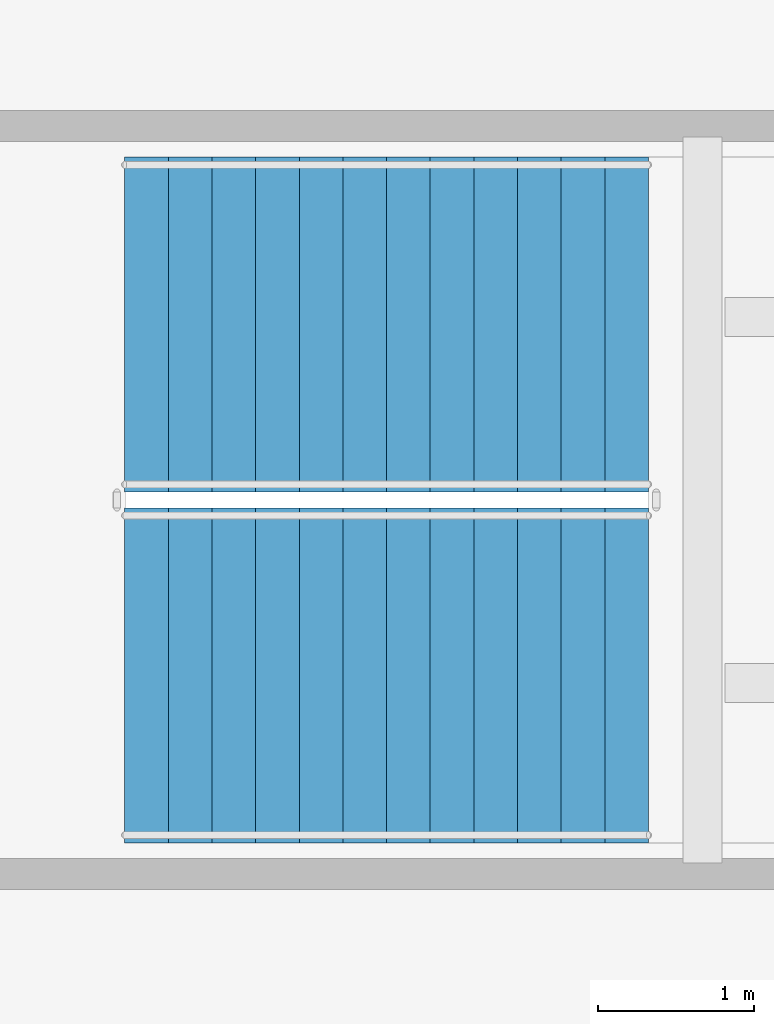
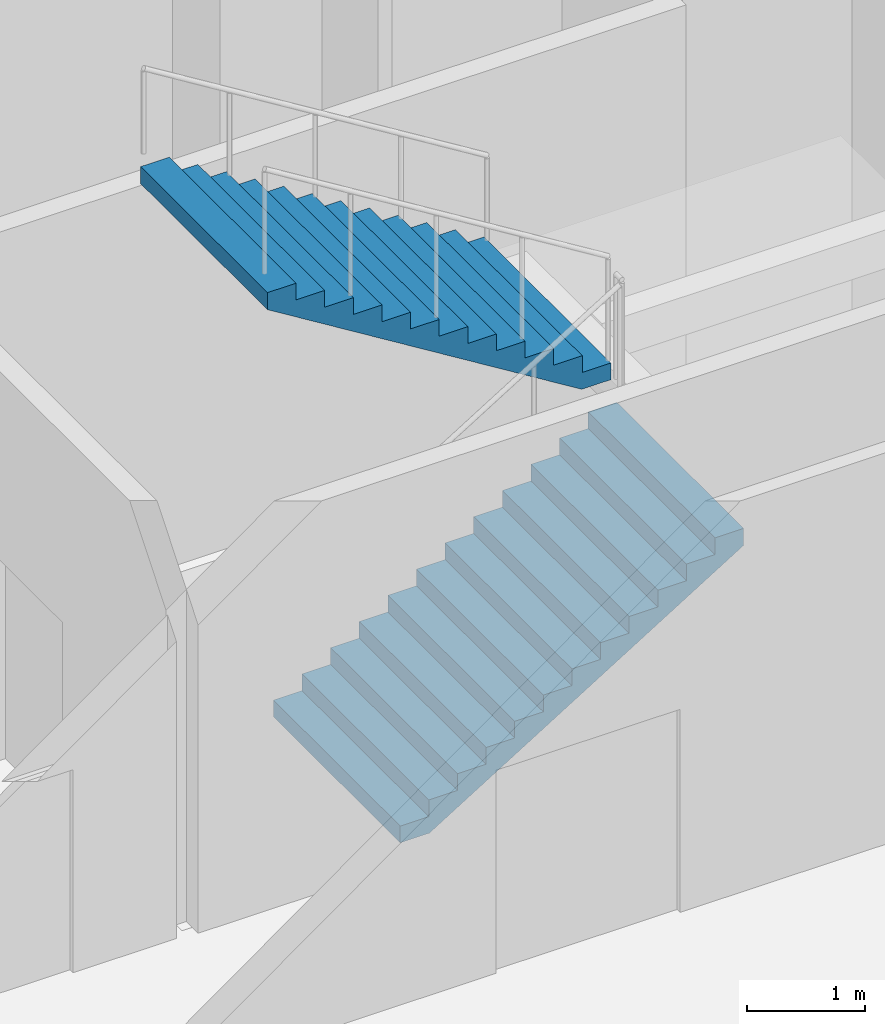
# One storey, part 15 of 21: 2 stair flights, 1 element without a shape of its own.
"""IFC4 building model written with IfcOpenShell, lengths in metres."""

from ifc_helpers import new_model, si_unit, direction, frame, origin, place, context, subcontext, project, spatial, triangles, material, type_object, element, aggregate, save


model = new_model("IFC4")

# Units and contexts
model_context = context("Model", 3, precision=1e-05, world=origin(), true_north=direction((0.0, 1.0)))
body_context = subcontext(model_context, "Body", "Model", "MODEL_VIEW")
ifc_project = project(units=[si_unit("LENGTHUNIT", "METRE"), si_unit("AREAUNIT", "SQUARE_METRE"), si_unit("VOLUMEUNIT", "CUBIC_METRE"), si_unit("PLANEANGLEUNIT", "RADIAN"), si_unit("MASSUNIT", "GRAM", prefix="KILO")], contexts=[model_context])

# Site, building, storey
site_placement = place(None, origin())
site = spatial("IfcSite", under=ifc_project, at=site_placement, CompositionType="ELEMENT")
building_placement = place(site_placement, origin())
building = spatial("IfcBuilding", under=site, at=building_placement, Name="Verdalira Terraces Hotel", CompositionType="ELEMENT")
storey_placement = place(building_placement, frame((0.0, 0.0, 19.0)))
storey = spatial("IfcBuildingStorey", under=building, at=storey_placement, Name="L03", CompositionType="ELEMENT", Elevation=19.0)

# Stair, stair flights
ifc_material_1 = material(Name="Concrete C40", Category="concrete")
stair_type = type_object("IfcStairType", Name="Podium stair 26 risers", PredefinedType="HALF_TURN_STAIR", material=ifc_material_1)
stair_placement = place(storey_placement, origin())
stair = element("IfcStair", 1, at=stair_placement, inside=storey, type_object=stair_type, Name="L03 Exit stair PS1", PredefinedType="HALF_TURN_STAIR")
ifc_material_2 = material(Name="Concrete C40", Category="concrete")
stair_flight_type = type_object("IfcStairFlightType", Name="Podium stair flight 26 risers", PredefinedType="STRAIGHT", material=ifc_material_2)
stair_flight_1_placement = place(storey_placement, frame((-0.75, 37.675049, 0.0), z_axis=(0.0, 0.0, 1.0), x_axis=(1.0, 0.0, 0.0)))
stair_flight_1 = element("IfcStairFlight", 2, at=stair_flight_1_placement, type_object=stair_flight_type, Name="PS1 flight 1", NumberOfRisers=13, NumberOfTreads=12, PredefinedType="STRAIGHT", RiserHeight=0.173076923, TreadLength=0.28, context=body_context, shape_type="Tessellation", body=[
    triangles([(0.0, 1.074951, 0.0), (0.285156, 1.074951, 0.0), (3.360107, 1.074951, 1.900635), (0.0, -1.074951, 0.0), (0.285156, -1.074951, 0.0), (3.360107, -1.074951, 1.900635), (3.360107, 1.074951, 2.076904), (3.080078, 1.074951, 2.076904), (3.360107, -1.074951, 2.076904), (3.080078, -1.074951, 2.076904), (3.080078, 1.074951, 1.903809), (3.080078, -1.074951, 1.903809), (2.800049, 1.074951, 1.903809), (2.800049, -1.074951, 1.903809), (2.800049, 1.074951, 1.730713), (2.800049, -1.074951, 1.730713), (2.52002, 1.074951, 1.730713), (2.52002, 1.074951, 1.557617), (2.52002, -1.074951, 1.730713), (2.52002, -1.074951, 1.557617), (2.23999, 1.074951, 1.557617), (2.23999, 1.074951, 1.384521), (2.23999, -1.074951, 1.557617), (2.23999, -1.074951, 1.384521), (1.959961, 1.074951, 1.384521), (1.959961, 1.074951, 1.211426), (1.959961, -1.074951, 1.384521), (1.959961, -1.074951, 1.211426), (1.679932, 1.074951, 1.211426), (1.679932, 1.074951, 1.038574), (1.679932, -1.074951, 1.211426), (1.679932, -1.074951, 1.038574), (1.399902, 1.074951, 1.038574), (1.399902, 1.074951, 0.865479), (1.399902, -1.074951, 1.038574), (1.399902, -1.074951, 0.865479), (1.120117, 1.074951, 0.865479), (1.120117, 1.074951, 0.692383), (1.120117, -1.074951, 0.865479), (1.120117, -1.074951, 0.692383), (0.840088, 1.074951, 0.692383), (0.840088, 1.074951, 0.519287), (0.840088, -1.074951, 0.692383), (0.840088, -1.074951, 0.519287), (0.560059, 1.074951, 0.519287), (0.560059, 1.074951, 0.346191), (0.560059, -1.074951, 0.519287), (0.560059, -1.074951, 0.346191), (0.280029, 1.074951, 0.346191), (0.280029, 1.074951, 0.173096), (0.280029, -1.074951, 0.346191), (0.280029, -1.074951, 0.173096), (0.0, 1.074951, 0.173096), (0.0, -1.074951, 0.173096), (0.0, -1.007767, 0.0), (0.0, -1.007767, 0.173096), (0.0, -0.940582, 0.0), (0.0, -0.940582, 0.173096), (0.0, -0.873398, 0.0), (0.0, -0.873398, 0.173096), (0.0, -0.806213, 0.0), (0.0, -0.806213, 0.173096), (0.0, -0.739029, 0.0), (0.0, -0.739029, 0.173096), (0.0, -0.671844, 0.0), (0.0, -0.671844, 0.173096), (0.0, -0.60466, 0.0), (0.0, -0.60466, 0.173096), (0.0, -0.537476, 0.0), (0.0, -0.537476, 0.173096), (0.0, -0.470291, 0.0), (0.0, -0.470291, 0.173096), (0.0, -0.403107, 0.0), (0.0, -0.403107, 0.173096), (0.0, -0.335922, 0.0), (0.0, -0.335922, 0.173096), (0.0, -0.268738, 0.0), (0.0, -0.268738, 0.173096), (0.0, -0.201553, 0.0), (0.0, -0.201553, 0.173096), (0.0, -0.134369, 0.0), (0.0, -0.134369, 0.173096), (0.0, -0.067184, 0.0), (0.0, -0.067184, 0.173096), (0.0, 0.0, 0.0), (0.0, 0.0, 0.173096), (0.0, 0.067184, 0.0), (0.0, 0.067184, 0.173096), (0.0, 0.134369, 0.0), (0.0, 0.134369, 0.173096), (0.0, 0.201553, 0.0), (0.0, 0.201553, 0.173096), (0.0, 0.268738, 0.0), (0.0, 0.268738, 0.173096), (0.0, 0.335922, 0.0), (0.0, 0.335922, 0.173096), (0.0, 0.403107, 0.0), (0.0, 0.403107, 0.173096), (0.0, 0.470291, 0.0), (0.0, 0.470291, 0.173096), (0.0, 0.537476, 0.0), (0.0, 0.537476, 0.173096), (0.0, 0.60466, 0.0), (0.0, 0.60466, 0.173096), (0.0, 0.671844, 0.0), (0.0, 0.671844, 0.173096), (0.0, 0.739029, 0.0), (0.0, 0.739029, 0.173096), (0.0, 0.806213, 0.0), (0.0, 0.806213, 0.173096), (0.0, 0.873398, 0.0), (0.0, 0.873398, 0.173096), (0.0, 0.940582, 0.0), (0.0, 0.940582, 0.173096), (0.0, 1.007767, 0.0), (0.0, 1.007767, 0.173096), (3.360107, -1.007767, 2.076904), (3.360107, -0.940582, 2.076904), (3.360107, -0.873398, 2.076904), (3.360107, -0.806213, 2.076904), (3.360107, -0.739029, 2.076904), (3.360107, -0.671844, 2.076904), (3.360107, -0.60466, 2.076904), (3.360107, -0.537476, 2.076904), (3.360107, -0.470291, 2.076904), (3.360107, -0.403107, 2.076904), (3.360107, -0.335922, 2.076904), (3.360107, -0.268738, 2.076904), (3.360107, -0.201553, 2.076904), (3.360107, -0.134369, 2.076904), (3.360107, -0.067184, 2.076904), (3.360107, 0.0, 2.076904), (3.360107, 0.067184, 2.076904), (3.360107, 0.134369, 2.076904), (3.360107, 0.201553, 2.076904), (3.360107, 0.268738, 2.076904), (3.360107, 0.335922, 2.076904), (3.360107, 0.403107, 2.076904), (3.360107, 0.470291, 2.076904), (3.360107, 0.537476, 2.076904), (3.360107, 0.60466, 2.076904), (3.360107, 0.671844, 2.076904), (3.360107, 0.739029, 2.076904), (3.360107, 0.806213, 2.076904), (3.360107, 0.873398, 2.076904), (3.360107, 0.940582, 2.076904), (3.360107, 1.007767, 2.076904), (3.360107, -1.007767, 1.900635), (3.360107, -0.940582, 1.900635), (3.360107, -0.873398, 1.900635), (3.360107, -0.806213, 1.900635), (3.360107, -0.739029, 1.900635), (3.360107, -0.671844, 1.900635), (3.360107, -0.60466, 1.900635), (3.360107, -0.537476, 1.900635), (3.360107, -0.470291, 1.900635), (3.360107, -0.403107, 1.900635), (3.360107, -0.335922, 1.900635), (3.360107, -0.268738, 1.900635), (3.360107, -0.201553, 1.900635), (3.360107, -0.134369, 1.900635), (3.360107, -0.067184, 1.900635), (3.360107, 0.0, 1.900635), (3.360107, 0.067184, 1.900635), (3.360107, 0.134369, 1.900635), (3.360107, 0.201553, 1.900635), (3.360107, 0.268738, 1.900635), (3.360107, 0.335922, 1.900635), (3.360107, 0.403107, 1.900635), (3.360107, 0.470291, 1.900635), (3.360107, 0.537476, 1.900635), (3.360107, 0.60466, 1.900635), (3.360107, 0.671844, 1.900635), (3.360107, 0.739029, 1.900635), (3.360107, 0.806213, 1.900635), (3.360107, 0.873398, 1.900635), (3.360107, 0.940582, 1.900635), (3.360107, 1.007767, 1.900635)], [[1, 3, 2], [4, 5, 6], [3, 8, 7], [6, 9, 10], [3, 11, 8], [6, 10, 12], [3, 13, 11], [6, 12, 14], [3, 15, 13], [6, 14, 16], [15, 18, 17], [16, 19, 20], [3, 18, 15], [6, 16, 20], [18, 22, 21], [20, 23, 24], [3, 22, 18], [6, 20, 24], [22, 26, 25], [24, 27, 28], [3, 26, 22], [6, 24, 28], [1, 26, 3], [4, 6, 28], [26, 30, 29], [28, 31, 32], [30, 34, 33], [32, 35, 36], [26, 34, 30], [28, 32, 36], [34, 38, 37], [36, 39, 40], [26, 38, 34], [28, 36, 40], [38, 42, 41], [40, 43, 44], [26, 42, 38], [28, 40, 44], [42, 46, 45], [44, 47, 48], [26, 46, 42], [28, 44, 48], [46, 50, 49], [48, 51, 52], [26, 50, 46], [28, 48, 52], [1, 50, 26], [4, 28, 52], [50, 1, 53], [52, 54, 4], [4, 56, 55], [4, 54, 56], [55, 58, 57], [55, 56, 58], [57, 60, 59], [57, 58, 60], [59, 62, 61], [59, 60, 62], [61, 64, 63], [61, 62, 64], [63, 66, 65], [63, 64, 66], [65, 68, 67], [65, 66, 68], [67, 70, 69], [67, 68, 70], [69, 72, 71], [69, 70, 72], [71, 74, 73], [71, 72, 74], [73, 76, 75], [73, 74, 76], [75, 78, 77], [75, 76, 78], [77, 80, 79], [77, 78, 80], [79, 82, 81], [79, 80, 82], [81, 84, 83], [81, 82, 84], [83, 86, 85], [83, 84, 86], [85, 88, 87], [85, 86, 88], [87, 90, 89], [87, 88, 90], [89, 92, 91], [89, 90, 92], [91, 94, 93], [91, 92, 94], [93, 96, 95], [93, 94, 96], [95, 98, 97], [95, 96, 98], [97, 100, 99], [97, 98, 100], [99, 102, 101], [99, 100, 102], [101, 104, 103], [101, 102, 104], [103, 106, 105], [103, 104, 106], [105, 108, 107], [105, 106, 108], [107, 110, 109], [107, 108, 110], [109, 112, 111], [109, 110, 112], [111, 114, 113], [111, 112, 114], [113, 116, 115], [113, 114, 116], [115, 53, 1], [115, 116, 53], [54, 52, 56], [56, 52, 58], [58, 52, 60], [60, 52, 62], [62, 52, 64], [64, 52, 66], [66, 52, 68], [68, 52, 70], [70, 52, 72], [72, 52, 74], [74, 52, 76], [76, 52, 78], [78, 52, 80], [80, 52, 82], [82, 52, 84], [84, 52, 86], [86, 52, 88], [88, 52, 90], [90, 52, 92], [92, 52, 94], [94, 52, 96], [96, 52, 98], [98, 52, 100], [100, 52, 102], [102, 52, 104], [104, 52, 106], [106, 52, 108], [108, 52, 110], [110, 52, 112], [112, 52, 114], [114, 52, 116], [116, 52, 53], [53, 52, 50], [52, 49, 50], [52, 51, 49], [51, 46, 49], [51, 48, 46], [48, 45, 46], [48, 47, 45], [47, 42, 45], [47, 44, 42], [44, 41, 42], [44, 43, 41], [43, 38, 41], [43, 40, 38], [40, 37, 38], [40, 39, 37], [39, 34, 37], [39, 36, 34], [36, 33, 34], [36, 35, 33], [35, 30, 33], [35, 32, 30], [32, 29, 30], [32, 31, 29], [31, 26, 29], [31, 28, 26], [28, 25, 26], [28, 27, 25], [27, 22, 25], [27, 24, 22], [24, 21, 22], [24, 23, 21], [23, 18, 21], [23, 20, 18], [20, 17, 18], [20, 19, 17], [19, 15, 17], [19, 16, 15], [16, 13, 15], [16, 14, 13], [14, 11, 13], [14, 12, 11], [12, 8, 11], [12, 10, 8], [9, 117, 10], [117, 118, 10], [118, 119, 10], [119, 120, 10], [120, 121, 10], [121, 122, 10], [122, 123, 10], [123, 124, 10], [124, 125, 10], [125, 126, 10], [126, 127, 10], [127, 128, 10], [128, 129, 10], [129, 130, 10], [130, 131, 10], [131, 132, 10], [132, 133, 10], [133, 134, 10], [134, 135, 10], [135, 136, 10], [136, 137, 10], [137, 138, 10], [138, 139, 10], [139, 140, 10], [140, 141, 10], [141, 142, 10], [142, 143, 10], [143, 144, 10], [144, 145, 10], [145, 146, 10], [146, 147, 10], [147, 7, 10], [7, 8, 10], [9, 148, 117], [9, 6, 148], [117, 149, 118], [117, 148, 149], [118, 150, 119], [118, 149, 150], [119, 151, 120], [119, 150, 151], [120, 152, 121], [120, 151, 152], [121, 153, 122], [121, 152, 153], [122, 154, 123], [122, 153, 154], [123, 155, 124], [123, 154, 155], [124, 156, 125], [124, 155, 156], [125, 157, 126], [125, 156, 157], [126, 158, 127], [126, 157, 158], [127, 159, 128], [127, 158, 159], [128, 160, 129], [128, 159, 160], [129, 161, 130], [129, 160, 161], [130, 162, 131], [130, 161, 162], [131, 163, 132], [131, 162, 163], [132, 164, 133], [132, 163, 164], [133, 165, 134], [133, 164, 165], [134, 166, 135], [134, 165, 166], [135, 167, 136], [135, 166, 167], [136, 168, 137], [136, 167, 168], [137, 169, 138], [137, 168, 169], [138, 170, 139], [138, 169, 170], [139, 171, 140], [139, 170, 171], [140, 172, 141], [140, 171, 172], [141, 173, 142], [141, 172, 173], [142, 174, 143], [142, 173, 174], [143, 175, 144], [143, 174, 175], [144, 176, 145], [144, 175, 176], [145, 177, 146], [145, 176, 177], [146, 178, 147], [146, 177, 178], [147, 3, 7], [147, 178, 3], [6, 5, 148], [148, 5, 149], [149, 5, 150], [150, 5, 151], [151, 5, 152], [152, 5, 153], [153, 5, 154], [154, 5, 155], [155, 5, 156], [156, 5, 157], [157, 5, 158], [158, 5, 159], [159, 5, 160], [160, 5, 161], [161, 5, 162], [162, 5, 163], [163, 5, 164], [164, 5, 165], [165, 5, 166], [166, 5, 167], [167, 5, 168], [168, 5, 169], [169, 5, 170], [170, 5, 171], [171, 5, 172], [172, 5, 173], [173, 5, 174], [174, 5, 175], [175, 5, 176], [176, 5, 177], [177, 5, 178], [178, 5, 3], [3, 5, 2], [4, 55, 5], [55, 57, 5], [57, 59, 5], [59, 61, 5], [61, 63, 5], [63, 65, 5], [65, 67, 5], [67, 69, 5], [69, 71, 5], [71, 73, 5], [73, 75, 5], [75, 77, 5], [77, 79, 5], [79, 81, 5], [81, 83, 5], [83, 85, 5], [85, 87, 5], [87, 89, 5], [89, 91, 5], [91, 93, 5], [93, 95, 5], [95, 97, 5], [97, 99, 5], [99, 101, 5], [101, 103, 5], [103, 105, 5], [105, 107, 5], [107, 109, 5], [109, 111, 5], [111, 113, 5], [113, 115, 5], [115, 1, 5], [1, 2, 5]], closed=True),
])
stair_flight_2_placement = place(storey_placement, frame((2.610107, 39.925049, 2.25), z_axis=(0.0, 0.0, 1.0), x_axis=(-1.0, 0.0, 0.0)))
stair_flight_2 = element("IfcStairFlight", 3, at=stair_flight_2_placement, type_object=stair_flight_type, Name="PS1 flight 2", NumberOfRisers=13, NumberOfTreads=12, PredefinedType="STRAIGHT", RiserHeight=0.173076923, TreadLength=0.28, context=body_context, shape_type="Tessellation", body=[
    triangles([(0.0, 1.074951, 0.0), (0.285156, 1.074951, 0.0), (3.360107, 1.074951, 1.900635), (0.0, -1.074951, 0.0), (0.285156, -1.074951, 0.0), (3.360107, -1.074951, 1.900635), (3.360107, 1.074951, 2.076904), (3.080078, 1.074951, 2.076904), (3.360107, -1.074951, 2.076904), (3.080078, -1.074951, 2.076904), (3.080078, 1.074951, 1.903809), (3.080078, -1.074951, 1.903809), (2.800049, 1.074951, 1.903809), (2.800049, -1.074951, 1.903809), (2.800049, 1.074951, 1.730713), (2.800049, -1.074951, 1.730713), (2.52002, 1.074951, 1.730713), (2.52002, 1.074951, 1.557617), (2.52002, -1.074951, 1.730713), (2.52002, -1.074951, 1.557617), (2.23999, 1.074951, 1.557617), (2.23999, 1.074951, 1.384521), (2.23999, -1.074951, 1.557617), (2.23999, -1.074951, 1.384521), (1.959961, 1.074951, 1.384521), (1.959961, 1.074951, 1.211426), (1.959961, -1.074951, 1.384521), (1.959961, -1.074951, 1.211426), (1.679932, 1.074951, 1.211426), (1.679932, 1.074951, 1.038574), (1.679932, -1.074951, 1.211426), (1.679932, -1.074951, 1.038574), (1.399902, 1.074951, 1.038574), (1.399902, 1.074951, 0.865479), (1.399902, -1.074951, 1.038574), (1.399902, -1.074951, 0.865479), (1.120117, 1.074951, 0.865479), (1.120117, 1.074951, 0.692383), (1.120117, -1.074951, 0.865479), (1.120117, -1.074951, 0.692383), (0.840088, 1.074951, 0.692383), (0.840088, 1.074951, 0.519287), (0.840088, -1.074951, 0.692383), (0.840088, -1.074951, 0.519287), (0.560059, 1.074951, 0.519287), (0.560059, 1.074951, 0.346191), (0.560059, -1.074951, 0.519287), (0.560059, -1.074951, 0.346191), (0.280029, 1.074951, 0.346191), (0.280029, 1.074951, 0.173096), (0.280029, -1.074951, 0.346191), (0.280029, -1.074951, 0.173096), (0.0, 1.074951, 0.173096), (0.0, -1.074951, 0.173096), (0.0, -1.007767, 0.0), (0.0, -1.007767, 0.173096), (0.0, -0.940582, 0.0), (0.0, -0.940582, 0.173096), (0.0, -0.873398, 0.0), (0.0, -0.873398, 0.173096), (0.0, -0.806213, 0.0), (0.0, -0.806213, 0.173096), (0.0, -0.739029, 0.0), (0.0, -0.739029, 0.173096), (0.0, -0.671844, 0.0), (0.0, -0.671844, 0.173096), (0.0, -0.60466, 0.0), (0.0, -0.60466, 0.173096), (0.0, -0.537476, 0.0), (0.0, -0.537476, 0.173096), (0.0, -0.470291, 0.0), (0.0, -0.470291, 0.173096), (0.0, -0.403107, 0.0), (0.0, -0.403107, 0.173096), (0.0, -0.335922, 0.0), (0.0, -0.335922, 0.173096), (0.0, -0.268738, 0.0), (0.0, -0.268738, 0.173096), (0.0, -0.201553, 0.0), (0.0, -0.201553, 0.173096), (0.0, -0.134369, 0.0), (0.0, -0.134369, 0.173096), (0.0, -0.067184, 0.0), (0.0, -0.067184, 0.173096), (0.0, 0.0, 0.0), (0.0, 0.0, 0.173096), (0.0, 0.067184, 0.0), (0.0, 0.067184, 0.173096), (0.0, 0.134369, 0.0), (0.0, 0.134369, 0.173096), (0.0, 0.201553, 0.0), (0.0, 0.201553, 0.173096), (0.0, 0.268738, 0.0), (0.0, 0.268738, 0.173096), (0.0, 0.335922, 0.0), (0.0, 0.335922, 0.173096), (0.0, 0.403107, 0.0), (0.0, 0.403107, 0.173096), (0.0, 0.470291, 0.0), (0.0, 0.470291, 0.173096), (0.0, 0.537476, 0.0), (0.0, 0.537476, 0.173096), (0.0, 0.60466, 0.0), (0.0, 0.60466, 0.173096), (0.0, 0.671844, 0.0), (0.0, 0.671844, 0.173096), (0.0, 0.739029, 0.0), (0.0, 0.739029, 0.173096), (0.0, 0.806213, 0.0), (0.0, 0.806213, 0.173096), (0.0, 0.873398, 0.0), (0.0, 0.873398, 0.173096), (0.0, 0.940582, 0.0), (0.0, 0.940582, 0.173096), (0.0, 1.007767, 0.0), (0.0, 1.007767, 0.173096), (3.360107, -1.007767, 2.076904), (3.360107, -0.940582, 2.076904), (3.360107, -0.873398, 2.076904), (3.360107, -0.806213, 2.076904), (3.360107, -0.739029, 2.076904), (3.360107, -0.671844, 2.076904), (3.360107, -0.60466, 2.076904), (3.360107, -0.537476, 2.076904), (3.360107, -0.470291, 2.076904), (3.360107, -0.403107, 2.076904), (3.360107, -0.335922, 2.076904), (3.360107, -0.268738, 2.076904), (3.360107, -0.201553, 2.076904), (3.360107, -0.134369, 2.076904), (3.360107, -0.067184, 2.076904), (3.360107, 0.0, 2.076904), (3.360107, 0.067184, 2.076904), (3.360107, 0.134369, 2.076904), (3.360107, 0.201553, 2.076904), (3.360107, 0.268738, 2.076904), (3.360107, 0.335922, 2.076904), (3.360107, 0.403107, 2.076904), (3.360107, 0.470291, 2.076904), (3.360107, 0.537476, 2.076904), (3.360107, 0.60466, 2.076904), (3.360107, 0.671844, 2.076904), (3.360107, 0.739029, 2.076904), (3.360107, 0.806213, 2.076904), (3.360107, 0.873398, 2.076904), (3.360107, 0.940582, 2.076904), (3.360107, 1.007767, 2.076904), (3.360107, -1.007767, 1.900635), (3.360107, -0.940582, 1.900635), (3.360107, -0.873398, 1.900635), (3.360107, -0.806213, 1.900635), (3.360107, -0.739029, 1.900635), (3.360107, -0.671844, 1.900635), (3.360107, -0.60466, 1.900635), (3.360107, -0.537476, 1.900635), (3.360107, -0.470291, 1.900635), (3.360107, -0.403107, 1.900635), (3.360107, -0.335922, 1.900635), (3.360107, -0.268738, 1.900635), (3.360107, -0.201553, 1.900635), (3.360107, -0.134369, 1.900635), (3.360107, -0.067184, 1.900635), (3.360107, 0.0, 1.900635), (3.360107, 0.067184, 1.900635), (3.360107, 0.134369, 1.900635), (3.360107, 0.201553, 1.900635), (3.360107, 0.268738, 1.900635), (3.360107, 0.335922, 1.900635), (3.360107, 0.403107, 1.900635), (3.360107, 0.470291, 1.900635), (3.360107, 0.537476, 1.900635), (3.360107, 0.60466, 1.900635), (3.360107, 0.671844, 1.900635), (3.360107, 0.739029, 1.900635), (3.360107, 0.806213, 1.900635), (3.360107, 0.873398, 1.900635), (3.360107, 0.940582, 1.900635), (3.360107, 1.007767, 1.900635)], [[1, 3, 2], [4, 5, 6], [3, 8, 7], [6, 9, 10], [3, 11, 8], [6, 10, 12], [3, 13, 11], [6, 12, 14], [3, 15, 13], [6, 14, 16], [15, 18, 17], [16, 19, 20], [3, 18, 15], [6, 16, 20], [18, 22, 21], [20, 23, 24], [3, 22, 18], [6, 20, 24], [22, 26, 25], [24, 27, 28], [3, 26, 22], [6, 24, 28], [1, 26, 3], [4, 6, 28], [26, 30, 29], [28, 31, 32], [30, 34, 33], [32, 35, 36], [26, 34, 30], [28, 32, 36], [34, 38, 37], [36, 39, 40], [26, 38, 34], [28, 36, 40], [38, 42, 41], [40, 43, 44], [26, 42, 38], [28, 40, 44], [42, 46, 45], [44, 47, 48], [26, 46, 42], [28, 44, 48], [46, 50, 49], [48, 51, 52], [26, 50, 46], [28, 48, 52], [1, 50, 26], [4, 28, 52], [50, 1, 53], [52, 54, 4], [4, 56, 55], [4, 54, 56], [55, 58, 57], [55, 56, 58], [57, 60, 59], [57, 58, 60], [59, 62, 61], [59, 60, 62], [61, 64, 63], [61, 62, 64], [63, 66, 65], [63, 64, 66], [65, 68, 67], [65, 66, 68], [67, 70, 69], [67, 68, 70], [69, 72, 71], [69, 70, 72], [71, 74, 73], [71, 72, 74], [73, 76, 75], [73, 74, 76], [75, 78, 77], [75, 76, 78], [77, 80, 79], [77, 78, 80], [79, 82, 81], [79, 80, 82], [81, 84, 83], [81, 82, 84], [83, 86, 85], [83, 84, 86], [85, 88, 87], [85, 86, 88], [87, 90, 89], [87, 88, 90], [89, 92, 91], [89, 90, 92], [91, 94, 93], [91, 92, 94], [93, 96, 95], [93, 94, 96], [95, 98, 97], [95, 96, 98], [97, 100, 99], [97, 98, 100], [99, 102, 101], [99, 100, 102], [101, 104, 103], [101, 102, 104], [103, 106, 105], [103, 104, 106], [105, 108, 107], [105, 106, 108], [107, 110, 109], [107, 108, 110], [109, 112, 111], [109, 110, 112], [111, 114, 113], [111, 112, 114], [113, 116, 115], [113, 114, 116], [115, 53, 1], [115, 116, 53], [54, 52, 56], [56, 52, 58], [58, 52, 60], [60, 52, 62], [62, 52, 64], [64, 52, 66], [66, 52, 68], [68, 52, 70], [70, 52, 72], [72, 52, 74], [74, 52, 76], [76, 52, 78], [78, 52, 80], [80, 52, 82], [82, 52, 84], [84, 52, 86], [86, 52, 88], [88, 52, 90], [90, 52, 92], [92, 52, 94], [94, 52, 96], [96, 52, 98], [98, 52, 100], [100, 52, 102], [102, 52, 104], [104, 52, 106], [106, 52, 108], [108, 52, 110], [110, 52, 112], [112, 52, 114], [114, 52, 116], [116, 52, 53], [53, 52, 50], [52, 49, 50], [52, 51, 49], [51, 46, 49], [51, 48, 46], [48, 45, 46], [48, 47, 45], [47, 42, 45], [47, 44, 42], [44, 41, 42], [44, 43, 41], [43, 38, 41], [43, 40, 38], [40, 37, 38], [40, 39, 37], [39, 34, 37], [39, 36, 34], [36, 33, 34], [36, 35, 33], [35, 30, 33], [35, 32, 30], [32, 29, 30], [32, 31, 29], [31, 26, 29], [31, 28, 26], [28, 25, 26], [28, 27, 25], [27, 22, 25], [27, 24, 22], [24, 21, 22], [24, 23, 21], [23, 18, 21], [23, 20, 18], [20, 17, 18], [20, 19, 17], [19, 15, 17], [19, 16, 15], [16, 13, 15], [16, 14, 13], [14, 11, 13], [14, 12, 11], [12, 8, 11], [12, 10, 8], [9, 117, 10], [117, 118, 10], [118, 119, 10], [119, 120, 10], [120, 121, 10], [121, 122, 10], [122, 123, 10], [123, 124, 10], [124, 125, 10], [125, 126, 10], [126, 127, 10], [127, 128, 10], [128, 129, 10], [129, 130, 10], [130, 131, 10], [131, 132, 10], [132, 133, 10], [133, 134, 10], [134, 135, 10], [135, 136, 10], [136, 137, 10], [137, 138, 10], [138, 139, 10], [139, 140, 10], [140, 141, 10], [141, 142, 10], [142, 143, 10], [143, 144, 10], [144, 145, 10], [145, 146, 10], [146, 147, 10], [147, 7, 10], [7, 8, 10], [9, 148, 117], [9, 6, 148], [117, 149, 118], [117, 148, 149], [118, 150, 119], [118, 149, 150], [119, 151, 120], [119, 150, 151], [120, 152, 121], [120, 151, 152], [121, 153, 122], [121, 152, 153], [122, 154, 123], [122, 153, 154], [123, 155, 124], [123, 154, 155], [124, 156, 125], [124, 155, 156], [125, 157, 126], [125, 156, 157], [126, 158, 127], [126, 157, 158], [127, 159, 128], [127, 158, 159], [128, 160, 129], [128, 159, 160], [129, 161, 130], [129, 160, 161], [130, 162, 131], [130, 161, 162], [131, 163, 132], [131, 162, 163], [132, 164, 133], [132, 163, 164], [133, 165, 134], [133, 164, 165], [134, 166, 135], [134, 165, 166], [135, 167, 136], [135, 166, 167], [136, 168, 137], [136, 167, 168], [137, 169, 138], [137, 168, 169], [138, 170, 139], [138, 169, 170], [139, 171, 140], [139, 170, 171], [140, 172, 141], [140, 171, 172], [141, 173, 142], [141, 172, 173], [142, 174, 143], [142, 173, 174], [143, 175, 144], [143, 174, 175], [144, 176, 145], [144, 175, 176], [145, 177, 146], [145, 176, 177], [146, 178, 147], [146, 177, 178], [147, 3, 7], [147, 178, 3], [6, 5, 148], [148, 5, 149], [149, 5, 150], [150, 5, 151], [151, 5, 152], [152, 5, 153], [153, 5, 154], [154, 5, 155], [155, 5, 156], [156, 5, 157], [157, 5, 158], [158, 5, 159], [159, 5, 160], [160, 5, 161], [161, 5, 162], [162, 5, 163], [163, 5, 164], [164, 5, 165], [165, 5, 166], [166, 5, 167], [167, 5, 168], [168, 5, 169], [169, 5, 170], [170, 5, 171], [171, 5, 172], [172, 5, 173], [173, 5, 174], [174, 5, 175], [175, 5, 176], [176, 5, 177], [177, 5, 178], [178, 5, 3], [3, 5, 2], [4, 55, 5], [55, 57, 5], [57, 59, 5], [59, 61, 5], [61, 63, 5], [63, 65, 5], [65, 67, 5], [67, 69, 5], [69, 71, 5], [71, 73, 5], [73, 75, 5], [75, 77, 5], [77, 79, 5], [79, 81, 5], [81, 83, 5], [83, 85, 5], [85, 87, 5], [87, 89, 5], [89, 91, 5], [91, 93, 5], [93, 95, 5], [95, 97, 5], [97, 99, 5], [99, 101, 5], [101, 103, 5], [103, 105, 5], [105, 107, 5], [107, 109, 5], [109, 111, 5], [111, 113, 5], [113, 115, 5], [115, 1, 5], [1, 2, 5]], closed=True),
])
aggregate(stair, [stair_flight_1, stair_flight_2])

save(model, "model.ifc")
